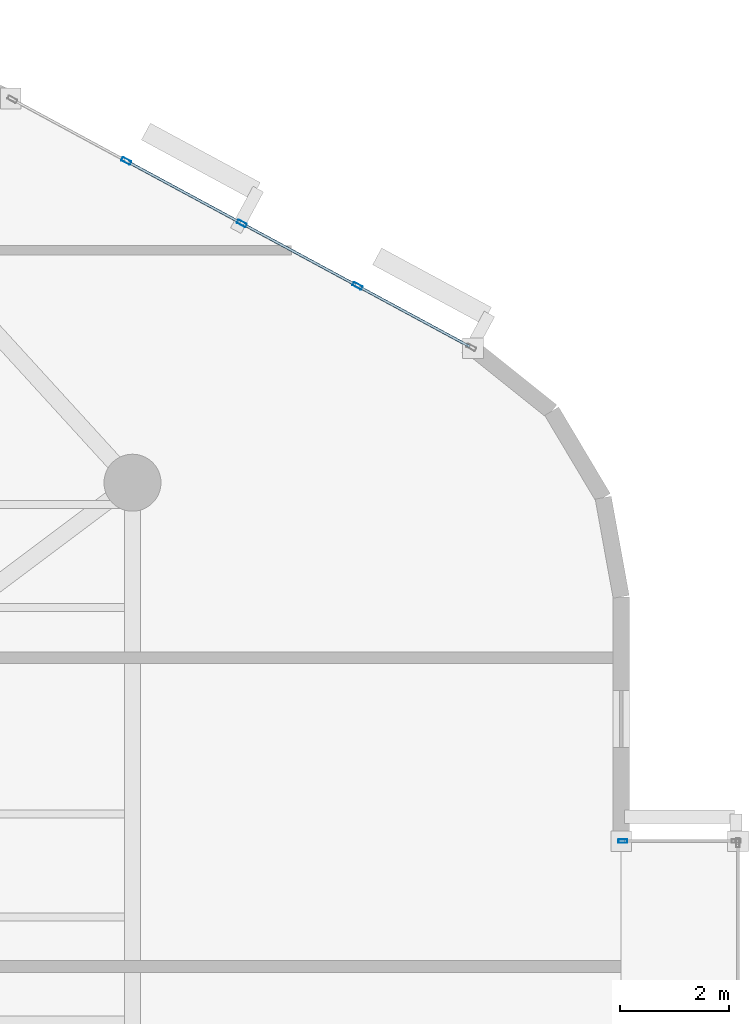
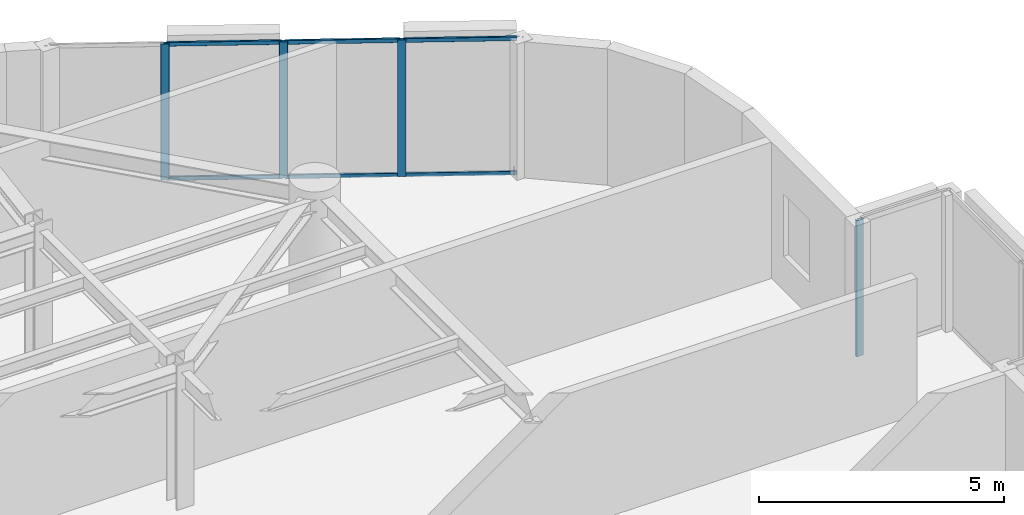
# One storey, part 6 of 14: 10 members, 2 elements without a shape of their own.
"""IFC4 building model written with IfcOpenShell, lengths in metres."""

from ifc_helpers import new_model, si_unit, direction, frame, origin, origin_2d, place, context, subcontext, project, spatial, hollow_rectangle, extrude, material, layer, layer_set, material_profile, profile_set, type_object, element, aggregate, save


model = new_model("IFC4")

# Units and contexts
model_context = context("Model", 3, precision=1e-05, world=origin(), true_north=direction((0.0, 1.0)))
body_context = subcontext(model_context, "Body", "Model", "MODEL_VIEW")
ifc_project = project(units=[si_unit("LENGTHUNIT", "METRE"), si_unit("AREAUNIT", "SQUARE_METRE"), si_unit("VOLUMEUNIT", "CUBIC_METRE"), si_unit("PLANEANGLEUNIT", "RADIAN"), si_unit("MASSUNIT", "GRAM", prefix="KILO")], contexts=[model_context])

# Site, building, storey
site_placement = place(None, origin())
site = spatial("IfcSite", under=ifc_project, at=site_placement, CompositionType="ELEMENT")
building_placement = place(site_placement, origin())
building = spatial("IfcBuilding", under=site, at=building_placement, Name="An Khanh Terracotta Commons", CompositionType="ELEMENT")
storey_placement = place(building_placement, frame((0.0, 0.0, 219.300048828125)))
storey = spatial("IfcBuildingStorey", under=building, at=storey_placement, Name="L57", CompositionType="ELEMENT", Elevation=219.300048828125)

# Curtain wall, member
ifc_material = material(Name="Anodised Aluminium 6063-T6", Category="aluminium")
ifc_layer_1 = layer(ifc_material, 0.239990234375, Name="Anodised Aluminium 6063-T6")
ifc_layer_set_1 = layer_set([ifc_layer_1], Name="Anodised Aluminium 6063-T6")
curtain_wall_type_1 = type_object("IfcCurtainWallType", Name="CW-SYS-04", PredefinedType="USERDEFINED", material=ifc_layer_set_1)
curtain_wall_1_placement = place(storey_placement, origin())
curtain_wall_1 = element("IfcCurtainWall", 1, at=curtain_wall_1_placement, inside=storey, type_object=curtain_wall_type_1, Name="L57 CW-04 Unitised Curtain Wall CW-L57-EBOX-3", ObjectType="UNITISED CURTAIN WALL", PredefinedType="USERDEFINED")
ifc_material_profile_1 = material_profile(ifc_material, hollow_rectangle(XDim=0.06494140625, YDim=0.1650390625, WallThickness=0.00390625, InnerFilletRadius=0.00390625, OuterFilletRadius=0.008056640625, at=origin_2d()), Name="RHS165x65x4")
ifc_profile_set_1 = profile_set([ifc_material_profile_1], Name="Anodised Aluminium 6063-T6")
member_type_1 = type_object("IfcMemberType", Name="CWM-RHS165x65x4", PredefinedType="MULLION", material=ifc_profile_set_1)
member_1_placement = place(storey_placement, frame((68.632568359375, 25.39990234375, 0.0), z_axis=(0.0, 0.0, 1.0), x_axis=(0.0, -1.0, 0.0)))
member_1 = element("IfcMember", 2, at=member_1_placement, type_object=member_type_1, Name="CW-04 mullion 2", PredefinedType="MULLION", context=body_context, shape_type="SweptSolid", body=[
    extrude(hollow_rectangle(XDim=0.06494140625, YDim=0.1650390625, WallThickness=0.00390625, InnerFilletRadius=0.00390625, OuterFilletRadius=0.008056640625, at=origin_2d()), origin(), (0.0, 0.0, 1.0), 3.39990234375),
])
aggregate(curtain_wall_1, [member_1])

# Curtain wall, members
ifc_layer_2 = layer(ifc_material, 0.2099609375, Name="Anodised Aluminium 6063-T6")
ifc_layer_set_2 = layer_set([ifc_layer_2], Name="Anodised Aluminium 6063-T6")
curtain_wall_type_2 = type_object("IfcCurtainWallType", Name="CW-SYS-03", PredefinedType="USERDEFINED", material=ifc_layer_set_2)
curtain_wall_2_placement = place(storey_placement, origin())
curtain_wall_2 = element("IfcCurtainWall", 3, at=curtain_wall_2_placement, inside=storey, type_object=curtain_wall_type_2, Name="L57 CW-03 Unitised Curtain Wall CW-L57-16", ObjectType="UNITISED CURTAIN WALL", PredefinedType="USERDEFINED")
ifc_material_profile_2 = material_profile(ifc_material, hollow_rectangle(XDim=0.070068359375, YDim=0.179931640625, WallThickness=0.00390625, InnerFilletRadius=0.00390625, OuterFilletRadius=0.008056640625, at=origin_2d()), Name="RHS180x70x4")
ifc_profile_set_2 = profile_set([ifc_material_profile_2], Name="Anodised Aluminium 6063-T6")
member_type_2 = type_object("IfcMemberType", Name="CWM-RHS180x70x4", PredefinedType="MULLION", material=ifc_profile_set_2)
member_2_placement = place(storey_placement, frame((63.7431640625, 35.624267578125, 0.0), z_axis=(0.0, 0.0, 1.0), x_axis=(-0.47538088298, -0.879780095306, 0.0)))
member_2 = element("IfcMember", 4, at=member_2_placement, type_object=member_type_2, Name="CW-03 mullion 2", PredefinedType="MULLION", context=body_context, shape_type="SweptSolid", body=[
    extrude(hollow_rectangle(XDim=0.070068359375, YDim=0.179931640625, WallThickness=0.00390625, InnerFilletRadius=0.00390625, OuterFilletRadius=0.008056640625, at=origin_2d()), origin(), (0.0, 0.0, 1.0), 3.39990234375),
])
member_3_placement = place(storey_placement, frame((61.614501953125, 36.7744140625, 0.0), z_axis=(0.0, 0.0, 1.0), x_axis=(-0.47538088298, -0.879780095306, 0.0)))
member_3 = element("IfcMember", 5, at=member_3_placement, type_object=member_type_2, Name="CW-03 mullion 3", PredefinedType="MULLION", context=body_context, shape_type="SweptSolid", body=[
    extrude(hollow_rectangle(XDim=0.070068359375, YDim=0.179931640625, WallThickness=0.00390625, InnerFilletRadius=0.00390625, OuterFilletRadius=0.008056640625, at=origin_2d()), origin(), (0.0, 0.0, 1.0), 3.39990234375),
])
member_4_placement = place(storey_placement, frame((59.48583984375, 37.9248046875, 0.0), z_axis=(0.0, 0.0, 1.0), x_axis=(-0.47538088298, -0.879780095306, 0.0)))
member_4 = element("IfcMember", 6, at=member_4_placement, type_object=member_type_2, Name="CW-03 mullion 4", PredefinedType="MULLION", context=body_context, shape_type="SweptSolid", body=[
    extrude(hollow_rectangle(XDim=0.070068359375, YDim=0.179931640625, WallThickness=0.00390625, InnerFilletRadius=0.00390625, OuterFilletRadius=0.008056640625, at=origin_2d()), origin(), (0.0, 0.0, 1.0), 3.39990234375),
])
ifc_material_profile_3 = material_profile(ifc_material, hollow_rectangle(XDim=0.050048828125, YDim=0.10009765625, WallThickness=0.003173828125, InnerFilletRadius=0.003173828125, OuterFilletRadius=0.00634765625, at=origin_2d()), Name="RHS100x50x3.2")
ifc_profile_set_3 = profile_set([ifc_material_profile_3], Name="Anodised Aluminium 6063-T6")
member_type_3 = type_object("IfcMemberType", Name="CWT-RHS100x50x3.2", PredefinedType="USERDEFINED", material=ifc_profile_set_3)
member_5_placement = place(storey_placement, frame((65.810302734375, 34.50732421875, 0.02490234375), z_axis=(-0.879779245677, 0.475382455373, 0.0), x_axis=(-0.475382455373, -0.879779245677, 0.0)))
member_5 = element("IfcMember", 7, at=member_5_placement, type_object=member_type_3, Name="CW-03 transom 1.1", ObjectType="TRANSOM", PredefinedType="USERDEFINED", context=body_context, shape_type="SweptSolid", body=[
    extrude(hollow_rectangle(XDim=0.050048828125, YDim=0.10009765625, WallThickness=0.003173828125, InnerFilletRadius=0.003173828125, OuterFilletRadius=0.00634765625, at=origin_2d()), origin(), (0.0, 0.0, 1.0), 2.314697265625),
])
member_6_placement = place(storey_placement, frame((65.810302734375, 34.50732421875, 3.375), z_axis=(-0.879779245677, 0.475382455373, 0.0), x_axis=(-0.475382455373, -0.879779245677, 0.0)))
member_6 = element("IfcMember", 8, at=member_6_placement, type_object=member_type_3, Name="CW-03 transom 1.2", ObjectType="TRANSOM", PredefinedType="USERDEFINED", context=body_context, shape_type="SweptSolid", body=[
    extrude(hollow_rectangle(XDim=0.050048828125, YDim=0.10009765625, WallThickness=0.003173828125, InnerFilletRadius=0.003173828125, OuterFilletRadius=0.00634765625, at=origin_2d()), origin(), (0.0, 0.0, 1.0), 2.314697265625),
])
member_7_placement = place(storey_placement, frame((63.71240234375, 35.640869140625, 0.02490234375), z_axis=(-0.879782861449, 0.475375763686, 0.0), x_axis=(-0.475375763686, -0.879782861449, 0.0)))
member_7 = element("IfcMember", 9, at=member_7_placement, type_object=member_type_3, Name="CW-03 transom 2.1", ObjectType="TRANSOM", PredefinedType="USERDEFINED", context=body_context, shape_type="SweptSolid", body=[
    extrude(hollow_rectangle(XDim=0.050048828125, YDim=0.10009765625, WallThickness=0.003173828125, InnerFilletRadius=0.003173828125, OuterFilletRadius=0.00634765625, at=origin_2d()), origin(), (0.0, 0.0, 1.0), 2.349609375),
])
member_8_placement = place(storey_placement, frame((63.71240234375, 35.640869140625, 3.375), z_axis=(-0.879782861449, 0.475375763686, 0.0), x_axis=(-0.475375763686, -0.879782861449, 0.0)))
member_8 = element("IfcMember", 10, at=member_8_placement, type_object=member_type_3, Name="CW-03 transom 2.2", ObjectType="TRANSOM", PredefinedType="USERDEFINED", context=body_context, shape_type="SweptSolid", body=[
    extrude(hollow_rectangle(XDim=0.050048828125, YDim=0.10009765625, WallThickness=0.003173828125, InnerFilletRadius=0.003173828125, OuterFilletRadius=0.00634765625, at=origin_2d()), origin(), (0.0, 0.0, 1.0), 2.349609375),
])
member_9_placement = place(storey_placement, frame((61.583740234375, 36.791259765625, 0.02490234375), z_axis=(-0.879782861449, 0.475375763686, 0.0), x_axis=(-0.475375763686, -0.879782861449, 0.0)))
member_9 = element("IfcMember", 11, at=member_9_placement, type_object=member_type_3, Name="CW-03 transom 3.1", ObjectType="TRANSOM", PredefinedType="USERDEFINED", context=body_context, shape_type="SweptSolid", body=[
    extrude(hollow_rectangle(XDim=0.050048828125, YDim=0.10009765625, WallThickness=0.003173828125, InnerFilletRadius=0.003173828125, OuterFilletRadius=0.00634765625, at=origin_2d()), origin(), (0.0, 0.0, 1.0), 2.349609375),
])
member_10_placement = place(storey_placement, frame((61.583740234375, 36.791259765625, 3.375), z_axis=(-0.879782861449, 0.475375763686, 0.0), x_axis=(-0.475375763686, -0.879782861449, 0.0)))
member_10 = element("IfcMember", 12, at=member_10_placement, type_object=member_type_3, Name="CW-03 transom 3.2", ObjectType="TRANSOM", PredefinedType="USERDEFINED", context=body_context, shape_type="SweptSolid", body=[
    extrude(hollow_rectangle(XDim=0.050048828125, YDim=0.10009765625, WallThickness=0.003173828125, InnerFilletRadius=0.003173828125, OuterFilletRadius=0.00634765625, at=origin_2d()), origin(), (0.0, 0.0, 1.0), 2.349609375),
])
aggregate(curtain_wall_2, [member_2, member_3, member_4, member_5, member_6, member_7, member_8, member_9, member_10])

save(model, "model.ifc")
